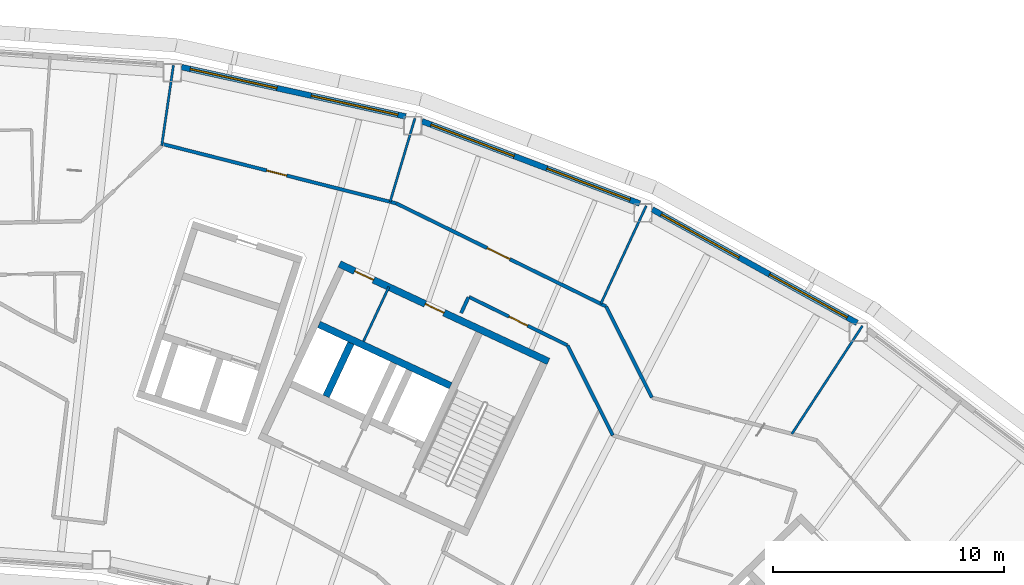
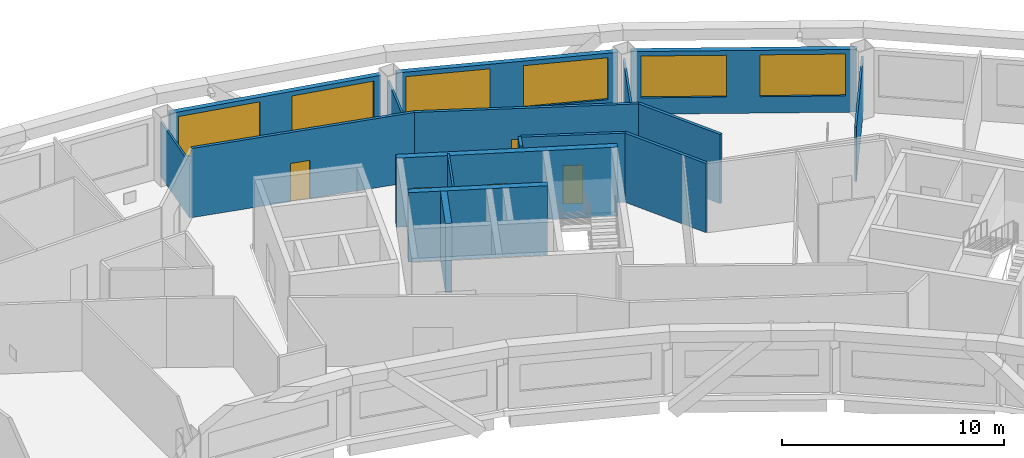
# One storey, part 11 of 21: 17 walls, 6 windows, 5 doors, 11 openings.
"""IFC4 building model written with IfcOpenShell, lengths in metres."""

from ifc_helpers import new_model, si_unit, direction, frame, frame_2d, origin, place, context, subcontext, project, spatial, rectangle, extrude, material, layer, layer_set, type_object, element, fill, save


model = new_model("IFC4")

# Units and contexts
model_context = context("Model", 3, precision=1e-05, world=origin(), true_north=direction((0.0, 1.0)))
body_context = subcontext(model_context, "Body", "Model", "MODEL_VIEW")
ifc_project = project(units=[si_unit("LENGTHUNIT", "METRE"), si_unit("AREAUNIT", "SQUARE_METRE"), si_unit("VOLUMEUNIT", "CUBIC_METRE"), si_unit("PLANEANGLEUNIT", "RADIAN"), si_unit("MASSUNIT", "GRAM", prefix="KILO")], contexts=[model_context])

# Site, building, storey
site_placement = place(None, origin())
site = spatial("IfcSite", under=ifc_project, at=site_placement, CompositionType="ELEMENT")
building_placement = place(site_placement, origin())
building = spatial("IfcBuilding", under=site, at=building_placement, Name="Tuul Gate Civic Tower", CompositionType="ELEMENT")
storey_placement = place(building_placement, frame((0.0, 0.0, 273.60009765625)))
storey = spatial("IfcBuildingStorey", under=building, at=storey_placement, Name="Level 62", CompositionType="ELEMENT", Elevation=273.60009765625)

# Wall
ifc_material_1 = material(Name="Concrete C50/60", Category="concrete")
ifc_layer_1 = layer(ifc_material_1, 0.300048828125)
ifc_layer_set_1 = layer_set([ifc_layer_1], Name="Concrete C50/60")
wall_type_1 = type_object("IfcWallType", Name="Core wall C50/60", PredefinedType="SHEAR", material=ifc_layer_set_1)
wall_1_placement = place(storey_placement, frame((33.75, -0.873779296875, 0.0), z_axis=(0.0, 0.0, 1.0), x_axis=(-0.906300917592, 0.422632992999, 0.0)))
element("IfcWall", 1, at=wall_1_placement, inside=storey, type_object=wall_type_1, Name="Core wall", PredefinedType="SHEAR", context=body_context, shape_type="SweptSolid", body=[
    extrude(rectangle(XDim=6.300048828125, YDim=0.300048828125, at=frame_2d((3.14990234375, 0.0))), origin(), (0.0, 0.0, 1.0), 3.7998046875),
])

# Wall, openings, doors
wall_2_placement = place(storey_placement, frame((37.993408203125, 0.181884765625, 0.0), z_axis=(0.0, 0.0, 1.0), x_axis=(-0.906310338845, 0.422612789327, 0.0)))
wall_2 = element("IfcWall", 2, at=wall_2_placement, inside=storey, type_object=wall_type_1, Name="Core wall", PredefinedType="SHEAR", context=body_context, shape_type="SweptSolid", body=[
    extrude(rectangle(XDim=9.999755859375, YDim=0.300048828125, at=frame_2d((5.0, 0.0))), origin(), (0.0, 0.0, 1.0), 3.7998046875),
])
opening_1_placement = place(wall_2_placement, frame((4.99365234375, 0.0, 0.0)))
opening_1 = element("IfcOpeningElement", 3, at=opening_1_placement, cuts=wall_2, Name="Opening W-D37", PredefinedType="OPENING", context=body_context, shape_type="SweptSolid", body=[
    extrude(rectangle(XDim=0.89990234375, YDim=2.10009765625, at=frame_2d((0.449951171875, 1.050048828125))), frame((0.0, 0.16015625, 0.0), z_axis=(0.0, -1.0, 0.0), x_axis=(1.0, 0.0, 0.0)), (0.0, 0.0, 1.0), 0.320068359375),
])
opening_2_placement = place(wall_2_placement, frame((8.368896484375, 0.0, 0.0)))
opening_2 = element("IfcOpeningElement", 4, at=opening_2_placement, cuts=wall_2, Name="Opening W-D38", PredefinedType="OPENING", context=body_context, shape_type="SweptSolid", body=[
    extrude(rectangle(XDim=0.89990234375, YDim=2.10009765625, at=frame_2d((0.449951171875, 1.050048828125))), frame((0.0, 0.16015625, 0.0), z_axis=(0.0, -1.0, 0.0), x_axis=(1.0, 0.0, 0.0)), (0.0, 0.0, 1.0), 0.320068359375),
])
ifc_material_2 = material(Name="Timber door leaf", Category="wood")
door_type_1 = type_object("IfcDoorType", Name="Door D09", OperationType="NOTDEFINED", PredefinedType="DOOR", material=ifc_material_2)
door_1_placement = place(opening_1_placement, origin())
door_1 = element("IfcDoor", 5, at=door_1_placement, inside=storey, type_object=door_type_1, Name="Door W-D37", OperationType="SINGLE_SWING_LEFT", OverallHeight=2.10009765625, OverallWidth=0.89990234375, PredefinedType="DOOR", context=body_context, shape_type="SweptSolid", body=[
    extrude(rectangle(XDim=0.89990234375, YDim=2.10009765625, at=frame_2d((0.449951171875, 1.050048828125))), frame((0.0, 0.02490234375, 0.0), z_axis=(0.0, -1.0, 0.0), x_axis=(1.0, 0.0, 0.0)), (0.0, 0.0, 1.0), 0.050048828125),
])
fill(opening_1, door_1)
door_2_placement = place(opening_2_placement, origin())
door_2 = element("IfcDoor", 6, at=door_2_placement, inside=storey, type_object=door_type_1, Name="Door W-D38", OperationType="SINGLE_SWING_RIGHT", OverallHeight=2.10009765625, OverallWidth=0.89990234375, PredefinedType="DOOR", context=body_context, shape_type="SweptSolid", body=[
    extrude(rectangle(XDim=0.89990234375, YDim=2.10009765625, at=frame_2d((0.449951171875, 1.050048828125))), frame((0.0, 0.02490234375, 0.0), z_axis=(0.0, -1.0, 0.0), x_axis=(1.0, 0.0, 0.0)), (0.0, 0.0, 1.0), 0.050048828125),
])
fill(opening_2, door_2)

# Walls
wall_3_placement = place(storey_placement, frame((28.349365234375, -1.33447265625, 0.0), z_axis=(0.0, 0.0, 1.0), x_axis=(0.422612891016, 0.906310291427, 0.0)))
element("IfcWall", 7, at=wall_3_placement, inside=storey, type_object=wall_type_1, Name="Core wall", PredefinedType="SHEAR", context=body_context, shape_type="SweptSolid", body=[
    extrude(rectangle(XDim=2.550048828125, YDim=0.300048828125, at=frame_2d((1.27490234375, 0.0))), origin(), (0.0, 0.0, 1.0), 3.7998046875),
])
ifc_material_3 = material(Name="Gypsum board partition")
ifc_layer_2 = layer(ifc_material_3, 0.14990234375)
ifc_layer_set_2 = layer_set([ifc_layer_2], Name="Gypsum board partition")
wall_type_2 = type_object("IfcWallType", Name="Corridor wall P150", PredefinedType="PARTITIONING", material=ifc_layer_set_2)
wall_4_placement = place(storey_placement, frame((40.493408203125, 2.5654296875, 0.0), z_axis=(0.0, 0.0, 1.0), x_axis=(0.449399871254, -0.893330709042, 0.0)))
element("IfcWall", 8, at=wall_4_placement, inside=storey, type_object=wall_type_2, Name="p019", PredefinedType="PARTITIONING", context=body_context, shape_type="SweptSolid", body=[
    extrude(rectangle(XDim=4.41943359375, YDim=0.14990234375, at=frame_2d((2.209716796875, 0.0))), origin(), (0.0, 0.0, 1.0), 3.7998046875),
])

# Wall, opening, door
wall_5_placement = place(storey_placement, frame((31.3916015625, 7.0380859375, 0.0), z_axis=(0.0, 0.0, 1.0), x_axis=(0.897511529592, -0.440990991121, 0.0)))
wall_5 = element("IfcWall", 9, at=wall_5_placement, inside=storey, type_object=wall_type_2, Name="p020", PredefinedType="PARTITIONING", context=body_context, shape_type="SweptSolid", body=[
    extrude(rectangle(XDim=10.14013671875, YDim=0.14990234375, at=frame_2d((5.070068359375, 0.0))), origin(), (0.0, 0.0, 1.0), 3.7998046875),
])
opening_3_placement = place(wall_5_placement, frame((4.393310546875, 0.0, 0.0)))
opening_3 = element("IfcOpeningElement", 10, at=opening_3_placement, cuts=wall_5, Name="Opening W-D06", PredefinedType="OPENING", context=body_context, shape_type="SweptSolid", body=[
    extrude(rectangle(XDim=1.10009765625, YDim=2.10009765625, at=frame_2d((0.550048828125, 1.050048828125))), frame((0.0, 0.0849609375, 0.0), z_axis=(0.0, -1.0, 0.0), x_axis=(1.0, 0.0, 0.0)), (0.0, 0.0, 1.0), 0.169921875),
])
ifc_material_4 = material(Name="Timber door leaf", Category="wood")
door_type_2 = type_object("IfcDoorType", Name="Door D11", OperationType="NOTDEFINED", PredefinedType="DOOR", material=ifc_material_4)
door_3_placement = place(opening_3_placement, origin())
door_3 = element("IfcDoor", 11, at=door_3_placement, inside=storey, type_object=door_type_2, Name="Door W-D06", OperationType="SINGLE_SWING_RIGHT", OverallHeight=2.10009765625, OverallWidth=1.10009765625, PredefinedType="DOOR", context=body_context, shape_type="SweptSolid", body=[
    extrude(rectangle(XDim=1.10009765625, YDim=2.10009765625, at=frame_2d((0.550048828125, 1.050048828125))), frame((0.0, 0.02490234375, 0.0), z_axis=(0.0, -1.0, 0.0), x_axis=(1.0, 0.0, 0.0)), (0.0, 0.0, 1.0), 0.050048828125),
])
fill(opening_3, door_3)

wall_6_placement = place(storey_placement, frame((21.28857421875, 9.602783203125, 0.0), z_axis=(0.0, 0.0, 1.0), x_axis=(0.969259771497, -0.24603962152, 0.0)))
wall_6 = element("IfcWall", 12, at=wall_6_placement, inside=storey, type_object=wall_type_2, Name="p022", PredefinedType="PARTITIONING", context=body_context, shape_type="SweptSolid", body=[
    extrude(rectangle(XDim=10.421875, YDim=0.14990234375, at=frame_2d((5.2109375, 0.0))), origin(), (0.0, 0.0, 1.0), 3.7998046875),
])
opening_4_placement = place(wall_6_placement, frame((4.62451171875, 0.0, 0.0)))
opening_4 = element("IfcOpeningElement", 13, at=opening_4_placement, cuts=wall_6, Name="Opening W-D07", PredefinedType="OPENING", context=body_context, shape_type="SweptSolid", body=[
    extrude(rectangle(XDim=0.89990234375, YDim=2.10009765625, at=frame_2d((0.449951171875, 1.050048828125))), frame((0.0, 0.0849609375, 0.0), z_axis=(0.0, -1.0, 0.0), x_axis=(1.0, 0.0, 0.0)), (0.0, 0.0, 1.0), 0.169921875),
])
door_4_placement = place(opening_4_placement, origin())
door_4 = element("IfcDoor", 14, at=door_4_placement, inside=storey, type_object=door_type_1, Name="Door W-D07", OperationType="SINGLE_SWING_RIGHT", OverallHeight=2.10009765625, OverallWidth=0.89990234375, PredefinedType="DOOR", context=body_context, shape_type="SweptSolid", body=[
    extrude(rectangle(XDim=0.89990234375, YDim=2.10009765625, at=frame_2d((0.449951171875, 1.050048828125))), frame((0.0, 0.02490234375, 0.0), z_axis=(0.0, -1.0, 0.0), x_axis=(1.0, 0.0, 0.0)), (0.0, 0.0, 1.0), 0.050048828125),
])
fill(opening_4, door_4)

# Walls
wall_7_placement = place(storey_placement, frame((38.82568359375, 0.873291015625, 0.0), z_axis=(0.0, 0.0, 1.0), x_axis=(0.449451893891, -0.893304536582, 0.0)))
element("IfcWall", 15, at=wall_7_placement, inside=storey, type_object=wall_type_2, Name="p108", PredefinedType="PARTITIONING", context=body_context, shape_type="SweptSolid", body=[
    extrude(rectangle(XDim=4.3603515625, YDim=0.14990234375, at=frame_2d((2.18017578125, 0.0))), origin(), (0.0, 0.0, 1.0), 3.7998046875),
])
wall_8_placement = place(storey_placement, frame((34.206298828125, 2.27978515625, 0.0), z_axis=(0.0, 0.0, 1.0), x_axis=(0.420629011696, 0.907232734484, 0.0)))
element("IfcWall", 16, at=wall_8_placement, inside=storey, type_object=wall_type_2, Name="p109", PredefinedType="PARTITIONING", context=body_context, shape_type="SweptSolid", body=[
    extrude(rectangle(XDim=0.758544921875, YDim=0.14990234375, at=frame_2d((0.37939453125, 0.0))), origin(), (0.0, 0.0, 1.0), 3.7998046875),
])

# Wall, opening, door
wall_9_placement = place(storey_placement, frame((34.552978515625, 2.9775390625, 0.0), z_axis=(0.0, 0.0, 1.0), x_axis=(0.897530416206, -0.440952550718, 0.0)))
wall_9 = element("IfcWall", 17, at=wall_9_placement, inside=storey, type_object=wall_type_2, Name="p110", PredefinedType="PARTITIONING", context=body_context, shape_type="SweptSolid", body=[
    extrude(rectangle(XDim=4.75, YDim=0.14990234375, at=frame_2d((2.375, 0.0))), origin(), (0.0, 0.0, 1.0), 3.7998046875),
])
opening_5_placement = place(wall_9_placement, frame((1.9248046875, 0.0, 0.0)))
opening_5 = element("IfcOpeningElement", 18, at=opening_5_placement, cuts=wall_9, Name="Opening W-D30", PredefinedType="OPENING", context=body_context, shape_type="SweptSolid", body=[
    extrude(rectangle(XDim=0.89990234375, YDim=2.10009765625, at=frame_2d((0.449951171875, 1.050048828125))), frame((0.0, 0.0849609375, 0.0), z_axis=(0.0, -1.0, 0.0), x_axis=(1.0, 0.0, 0.0)), (0.0, 0.0, 1.0), 0.169921875),
])
door_5_placement = place(opening_5_placement, origin())
door_5 = element("IfcDoor", 19, at=door_5_placement, inside=storey, type_object=door_type_1, Name="Door W-D30", OperationType="SINGLE_SWING_RIGHT", OverallHeight=2.10009765625, OverallWidth=0.89990234375, PredefinedType="DOOR", context=body_context, shape_type="SweptSolid", body=[
    extrude(rectangle(XDim=0.89990234375, YDim=2.10009765625, at=frame_2d((0.449951171875, 1.050048828125))), frame((0.0, 0.02490234375, 0.0), z_axis=(0.0, -1.0, 0.0), x_axis=(1.0, 0.0, 0.0)), (0.0, 0.0, 1.0), 0.050048828125),
])
fill(opening_5, door_5)

# Wall, openings, windows
ifc_material_5 = material(Name="Precast concrete C40/50", Category="concrete")
ifc_layer_3 = layer(ifc_material_5, 0.25)
ifc_layer_set_3 = layer_set([ifc_layer_3], Name="Precast concrete C40/50")
wall_type_3 = type_object("IfcWallType", Name="External wall", PredefinedType="STANDARD", material=ifc_layer_set_3)
wall_10_placement = place(storey_placement, frame((51.380615234375, 1.85205078125, 0.0), z_axis=(0.0, 0.0, 1.0), x_axis=(-0.87463069098, 0.484789804345, 0.0)))
wall_10 = element("IfcWall", 20, at=wall_10_placement, inside=storey, type_object=wall_type_3, Name="External wall", PredefinedType="STANDARD", context=body_context, shape_type="SweptSolid", body=[
    extrude(rectangle(XDim=10.1591796875, YDim=0.25, at=frame_2d((5.07958984375, 0.0))), origin(), (0.0, 0.0, 1.0), 3.449951171875),
])
opening_6_placement = place(wall_10_placement, frame((0.48779296875, 0.0, 0.89990234375)))
opening_6 = element("IfcOpeningElement", 21, at=opening_6_placement, cuts=wall_10, Name="Opening W22", PredefinedType="OPENING", context=body_context, shape_type="SweptSolid", body=[
    extrude(rectangle(XDim=3.85009765625, YDim=2.300048828125, at=frame_2d((1.925048828125, 1.14990234375))), frame((0.0, 0.135009765625, 0.0), z_axis=(0.0, -1.0, 0.0), x_axis=(1.0, 0.0, 0.0)), (0.0, 0.0, 1.0), 0.27001953125),
])
opening_7_placement = place(wall_10_placement, frame((5.859130859375, 0.0, 0.89990234375)))
opening_7 = element("IfcOpeningElement", 22, at=opening_7_placement, cuts=wall_10, Name="Opening W22", PredefinedType="OPENING", context=body_context, shape_type="SweptSolid", body=[
    extrude(rectangle(XDim=3.85009765625, YDim=2.300048828125, at=frame_2d((1.925048828125, 1.14990234375))), frame((0.0, 0.135009765625, 0.0), z_axis=(0.0, -1.0, 0.0), x_axis=(1.0, 0.0, 0.0)), (0.0, 0.0, 1.0), 0.27001953125),
])
ifc_material_6 = material(Name="Glass", Category="glass")
window_type = type_object("IfcWindowType", Name="Window W22 3850 x 2300", PartitioningType="SINGLE_PANEL", PredefinedType="WINDOW", material=ifc_material_6)
window_1_placement = place(opening_6_placement, origin())
window_1 = element("IfcWindow", 23, at=window_1_placement, inside=storey, type_object=window_type, Name="Window", OverallHeight=2.300048828125, OverallWidth=3.85009765625, PartitioningType="SINGLE_PANEL", PredefinedType="WINDOW", context=body_context, shape_type="SweptSolid", body=[
    extrude(rectangle(XDim=3.85009765625, YDim=2.300048828125, at=frame_2d((1.925048828125, 1.14990234375))), frame((0.0, 0.030029296875, 0.0), z_axis=(0.0, -1.0, 0.0), x_axis=(1.0, 0.0, 0.0)), (0.0, 0.0, 1.0), 0.06005859375),
])
fill(opening_6, window_1)
window_2_placement = place(opening_7_placement, origin())
window_2 = element("IfcWindow", 24, at=window_2_placement, inside=storey, type_object=window_type, Name="Window", OverallHeight=2.300048828125, OverallWidth=3.85009765625, PartitioningType="SINGLE_PANEL", PredefinedType="WINDOW", context=body_context, shape_type="SweptSolid", body=[
    extrude(rectangle(XDim=3.85009765625, YDim=2.300048828125, at=frame_2d((1.925048828125, 1.14990234375))), frame((0.0, 0.030029296875, 0.0), z_axis=(0.0, -1.0, 0.0), x_axis=(1.0, 0.0, 0.0)), (0.0, 0.0, 1.0), 0.06005859375),
])
fill(opening_7, window_2)

wall_11_placement = place(storey_placement, frame((41.954345703125, 7.028076171875, 0.0), z_axis=(0.0, 0.0, 1.0), x_axis=(-0.935343984789, 0.353739494712, 0.0)))
wall_11 = element("IfcWall", 25, at=wall_11_placement, inside=storey, type_object=wall_type_3, Name="External wall", PredefinedType="STANDARD", context=body_context, shape_type="SweptSolid", body=[
    extrude(rectangle(XDim=10.099365234375, YDim=0.25, at=frame_2d((5.0498046875, 0.0))), origin(), (0.0, 0.0, 1.0), 3.449951171875),
])
opening_8_placement = place(wall_11_placement, frame((0.45556640625, 0.0, 0.89990234375)))
opening_8 = element("IfcOpeningElement", 26, at=opening_8_placement, cuts=wall_11, Name="Opening W22", PredefinedType="OPENING", context=body_context, shape_type="SweptSolid", body=[
    extrude(rectangle(XDim=3.85009765625, YDim=2.300048828125, at=frame_2d((1.925048828125, 1.14990234375))), frame((0.0, 0.135009765625, 0.0), z_axis=(0.0, -1.0, 0.0), x_axis=(1.0, 0.0, 0.0)), (0.0, 0.0, 1.0), 0.27001953125),
])
opening_9_placement = place(wall_11_placement, frame((5.826904296875, 0.0, 0.89990234375)))
opening_9 = element("IfcOpeningElement", 27, at=opening_9_placement, cuts=wall_11, Name="Opening W22", PredefinedType="OPENING", context=body_context, shape_type="SweptSolid", body=[
    extrude(rectangle(XDim=3.85009765625, YDim=2.300048828125, at=frame_2d((1.925048828125, 1.14990234375))), frame((0.0, 0.135009765625, 0.0), z_axis=(0.0, -1.0, 0.0), x_axis=(1.0, 0.0, 0.0)), (0.0, 0.0, 1.0), 0.27001953125),
])
window_3_placement = place(opening_8_placement, origin())
window_3 = element("IfcWindow", 28, at=window_3_placement, inside=storey, type_object=window_type, Name="Window", OverallHeight=2.300048828125, OverallWidth=3.85009765625, PartitioningType="SINGLE_PANEL", PredefinedType="WINDOW", context=body_context, shape_type="SweptSolid", body=[
    extrude(rectangle(XDim=3.85009765625, YDim=2.300048828125, at=frame_2d((1.925048828125, 1.14990234375))), frame((0.0, 0.030029296875, 0.0), z_axis=(0.0, -1.0, 0.0), x_axis=(1.0, 0.0, 0.0)), (0.0, 0.0, 1.0), 0.06005859375),
])
fill(opening_8, window_3)
window_4_placement = place(opening_9_placement, origin())
window_4 = element("IfcWindow", 29, at=window_4_placement, inside=storey, type_object=window_type, Name="Window", OverallHeight=2.300048828125, OverallWidth=3.85009765625, PartitioningType="SINGLE_PANEL", PredefinedType="WINDOW", context=body_context, shape_type="SweptSolid", body=[
    extrude(rectangle(XDim=3.85009765625, YDim=2.300048828125, at=frame_2d((1.925048828125, 1.14990234375))), frame((0.0, 0.030029296875, 0.0), z_axis=(0.0, -1.0, 0.0), x_axis=(1.0, 0.0, 0.0)), (0.0, 0.0, 1.0), 0.06005859375),
])
fill(opening_9, window_4)

wall_12_placement = place(storey_placement, frame((31.80029296875, 10.804931640625, 0.0), z_axis=(0.0, 0.0, 1.0), x_axis=(-0.976562454365, 0.215234227585, 0.0)))
wall_12 = element("IfcWall", 30, at=wall_12_placement, inside=storey, type_object=wall_type_3, Name="External wall", PredefinedType="STANDARD", context=body_context, shape_type="SweptSolid", body=[
    extrude(rectangle(XDim=9.95361328125, YDim=0.25, at=frame_2d((4.976806640625, 0.0))), origin(), (0.0, 0.0, 1.0), 3.449951171875),
])
opening_10_placement = place(wall_12_placement, frame((0.34228515625, 0.0, 0.89990234375)))
opening_10 = element("IfcOpeningElement", 31, at=opening_10_placement, cuts=wall_12, Name="Opening W22", PredefinedType="OPENING", context=body_context, shape_type="SweptSolid", body=[
    extrude(rectangle(XDim=3.85009765625, YDim=2.300048828125, at=frame_2d((1.925048828125, 1.14990234375))), frame((0.0, 0.135009765625, 0.0), z_axis=(0.0, -1.0, 0.0), x_axis=(1.0, 0.0, 0.0)), (0.0, 0.0, 1.0), 0.27001953125),
])
opening_11_placement = place(wall_12_placement, frame((5.713623046875, 0.0, 0.89990234375)))
opening_11 = element("IfcOpeningElement", 32, at=opening_11_placement, cuts=wall_12, Name="Opening W22", PredefinedType="OPENING", context=body_context, shape_type="SweptSolid", body=[
    extrude(rectangle(XDim=3.85009765625, YDim=2.300048828125, at=frame_2d((1.925048828125, 1.14990234375))), frame((0.0, 0.135009765625, 0.0), z_axis=(0.0, -1.0, 0.0), x_axis=(1.0, 0.0, 0.0)), (0.0, 0.0, 1.0), 0.27001953125),
])
window_5_placement = place(opening_10_placement, origin())
window_5 = element("IfcWindow", 33, at=window_5_placement, inside=storey, type_object=window_type, Name="Window", OverallHeight=2.300048828125, OverallWidth=3.85009765625, PartitioningType="SINGLE_PANEL", PredefinedType="WINDOW", context=body_context, shape_type="SweptSolid", body=[
    extrude(rectangle(XDim=3.85009765625, YDim=2.300048828125, at=frame_2d((1.925048828125, 1.14990234375))), frame((0.0, 0.030029296875, 0.0), z_axis=(0.0, -1.0, 0.0), x_axis=(1.0, 0.0, 0.0)), (0.0, 0.0, 1.0), 0.06005859375),
])
fill(opening_10, window_5)
window_6_placement = place(opening_11_placement, origin())
window_6 = element("IfcWindow", 34, at=window_6_placement, inside=storey, type_object=window_type, Name="Window", OverallHeight=2.300048828125, OverallWidth=3.85009765625, PartitioningType="SINGLE_PANEL", PredefinedType="WINDOW", context=body_context, shape_type="SweptSolid", body=[
    extrude(rectangle(XDim=3.85009765625, YDim=2.300048828125, at=frame_2d((1.925048828125, 1.14990234375))), frame((0.0, 0.030029296875, 0.0), z_axis=(0.0, -1.0, 0.0), x_axis=(1.0, 0.0, 0.0)), (0.0, 0.0, 1.0), 0.06005859375),
])
fill(opening_11, window_6)

# Walls
ifc_material_7 = material(Name="Gypsum board partition")
ifc_layer_4 = layer(ifc_material_7, 0.10009765625)
ifc_layer_set_4 = layer_set([ifc_layer_4], Name="Gypsum board partition")
wall_type_4 = type_object("IfcWallType", Name="Partition P100", PredefinedType="PARTITIONING", material=ifc_layer_set_4)
wall_13_placement = place(storey_placement, frame((29.972900390625, 1.052978515625, 0.0), z_axis=(0.0, 0.0, 1.0), x_axis=(0.422556439746, 0.906336612539, 0.0)))
element("IfcWall", 35, at=wall_13_placement, inside=storey, type_object=wall_type_4, Name="bE3-BAND-0", PredefinedType="PARTITIONING", context=body_context, shape_type="SweptSolid", body=[
    extrude(rectangle(XDim=2.599853515625, YDim=0.10009765625, at=frame_2d((1.2998046875, 0.0))), origin(), (0.0, 0.0, 1.0), 3.7998046875),
])
ifc_material_8 = material(Name="Gypsum board partition")
ifc_layer_5 = layer(ifc_material_8, 0.10009765625)
ifc_layer_set_5 = layer_set([ifc_layer_5], Name="Gypsum board partition")
wall_type_5 = type_object("IfcWallType", Name="Partition P100 3000 HIGH", PredefinedType="PARTITIONING", material=ifc_layer_set_5)
wall_14_placement = place(storey_placement, frame((48.552490234375, -2.960205078125, 0.0), z_axis=(0.0, 0.0, 1.0), x_axis=(0.546726524773, 0.837311236703, 0.0)))
element("IfcWall", 36, at=wall_14_placement, inside=storey, type_object=wall_type_5, Name="p016", PredefinedType="PARTITIONING", context=body_context, shape_type="SweptSolid", body=[
    extrude(rectangle(XDim=5.599853515625, YDim=0.10009765625, at=frame_2d((2.7998046875, 0.0))), origin(), (0.0, 0.0, 1.0), 3.0),
])
wall_15_placement = place(storey_placement, frame((40.2646484375, 2.67822265625, 0.0), z_axis=(0.0, 0.0, 1.0), x_axis=(0.420366811033, 0.907354255064, 0.0)))
element("IfcWall", 37, at=wall_15_placement, inside=storey, type_object=wall_type_5, Name="p018", PredefinedType="PARTITIONING", context=body_context, shape_type="SweptSolid", body=[
    extrude(rectangle(XDim=4.683349609375, YDim=0.10009765625, at=frame_2d((2.341796875, 0.0))), origin(), (0.0, 0.0, 1.0), 3.0),
])
wall_16_placement = place(storey_placement, frame((31.125732421875, 7.105712890625, 0.0), z_axis=(0.0, 0.0, 1.0), x_axis=(0.28525147168, 0.958452710312, 0.0)))
element("IfcWall", 38, at=wall_16_placement, inside=storey, type_object=wall_type_5, Name="p021", PredefinedType="PARTITIONING", context=body_context, shape_type="SweptSolid", body=[
    extrude(rectangle(XDim=3.772705078125, YDim=0.10009765625, at=frame_2d((1.88623046875, 0.0))), origin(), (0.0, 0.0, 1.0), 3.0),
])
wall_17_placement = place(storey_placement, frame((21.219482421875, 9.53857421875, 0.0), z_axis=(0.0, 0.0, 1.0), x_axis=(0.144143140831, 0.989556847761, 0.0)))
element("IfcWall", 39, at=wall_17_placement, inside=storey, type_object=wall_type_5, Name="p023", PredefinedType="PARTITIONING", context=body_context, shape_type="SweptSolid", body=[
    extrude(rectangle(XDim=3.528076171875, YDim=0.10009765625, at=frame_2d((1.76416015625, 0.0))), origin(), (0.0, 0.0, 1.0), 3.0),
])

save(model, "model.ifc")
